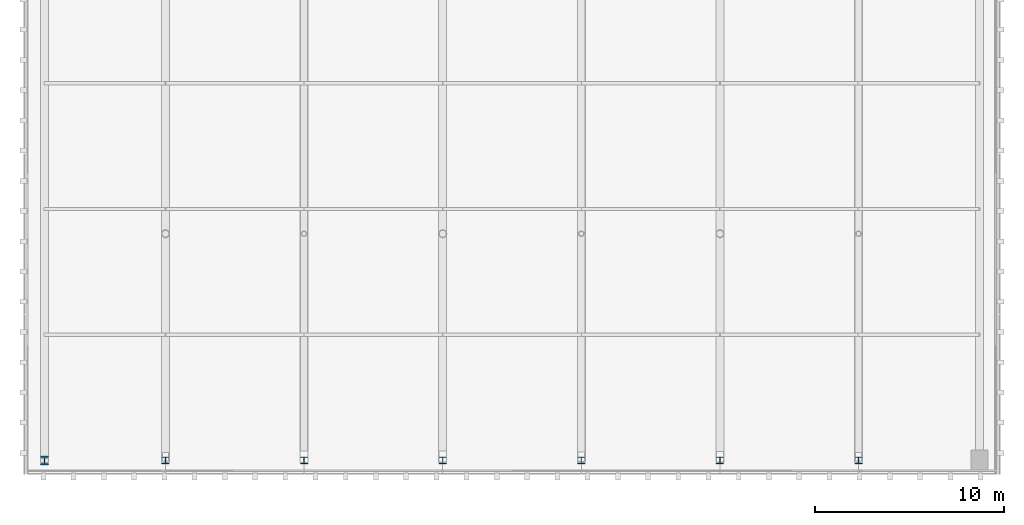
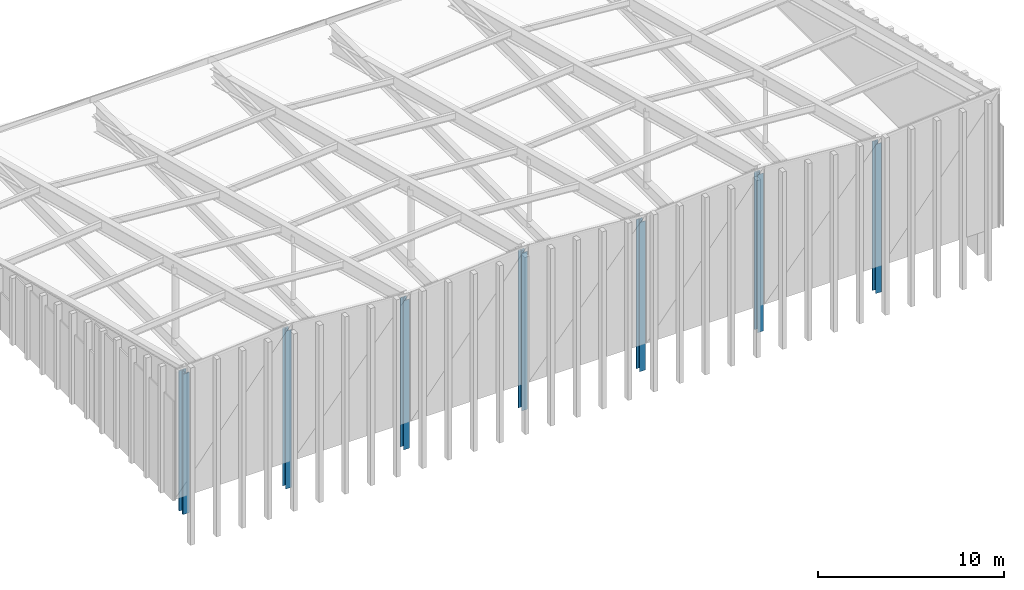
# One storey, part 1 of 8: 7 columns.
"""IFC4 building model written with IfcOpenShell, lengths in metres."""

from ifc_helpers import new_model, si_unit, direction, frame, origin, origin_2d, place, context, subcontext, project, spatial, i_section, extrude, material, material_profile, profile_set, type_object, element, save


model = new_model("IFC4")

# Units and contexts
model_context = context("Model", 3, precision=1e-05, world=origin(), true_north=direction((0.0, 1.0)))
body_context = subcontext(model_context, "Body", "Model", "MODEL_VIEW")
ifc_project = project(units=[si_unit("LENGTHUNIT", "METRE"), si_unit("AREAUNIT", "SQUARE_METRE"), si_unit("VOLUMEUNIT", "CUBIC_METRE"), si_unit("PLANEANGLEUNIT", "RADIAN"), si_unit("MASSUNIT", "GRAM", prefix="KILO")], contexts=[model_context])

# Site, building, storey
site_placement = place(None, origin())
site = spatial("IfcSite", under=ifc_project, at=site_placement, CompositionType="ELEMENT")
building_placement = place(site_placement, origin())
building = spatial("IfcBuilding", under=site, at=building_placement, Name="Trimount Lyric Opera House", CompositionType="ELEMENT")
storey_placement = place(building_placement, frame((0.0, 0.0, 34.199951171875)))
storey = spatial("IfcBuildingStorey", under=building, at=storey_placement, Name="RF", CompositionType="ELEMENT", Elevation=34.199951171875)

# Columns
ifc_material_1 = material(Name="Steel ASTM A992 Grade 50", Category="steel")
ifc_material_profile_1 = material_profile(ifc_material_1, i_section(OverallWidth=0.422119140625, OverallDepth=0.465087890625, WebThickness=0.044921875, FlangeThickness=0.072509765625, FilletRadius=0.02001953125, at=origin_2d()), Name="W14X398")
ifc_profile_set_1 = profile_set([ifc_material_profile_1], Name="Steel ASTM A992 Grade 50")
column_type_1 = type_object("IfcColumnType", Name="C-01", PredefinedType="COLUMN", material=ifc_profile_set_1)
column_1_placement = place(storey_placement, frame((64.260009765625, 84.0, -1.5), z_axis=(0.0, 0.0, 1.0), x_axis=(1.0, 0.0, 0.0)))
element("IfcColumn", 1, at=column_1_placement, inside=storey, type_object=column_type_1, Name="RF column 8/K", PredefinedType="COLUMN", context=body_context, shape_type="SweptSolid", body=[
    extrude(i_section(OverallWidth=0.422119140625, OverallDepth=0.465087890625, WebThickness=0.044921875, FlangeThickness=0.072509765625, FilletRadius=0.02001953125, at=origin_2d()), origin(), (0.0, 0.0, 1.0), 9.219970703125),
])
ifc_material_2 = material(Name="Steel ASTM A992 Grade 50", Category="steel")
ifc_material_profile_2 = material_profile(ifc_material_2, i_section(OverallWidth=0.367919921875, OverallDepth=0.35595703125, WebThickness=0.01123046875, FlangeThickness=0.01806640625, FilletRadius=0.014892578125, at=origin_2d()), Name="W14X90")
ifc_profile_set_2 = profile_set([ifc_material_profile_2], Name="Steel ASTM A992 Grade 50")
column_type_2 = type_object("IfcColumnType", Name="C-05", PredefinedType="COLUMN", material=ifc_profile_set_2)
column_2_placement = place(storey_placement, frame((70.6572265625, 84.0, -2.099853515625), z_axis=(0.0, 0.0, 1.0), x_axis=(1.0, 0.0, 0.0)))
element("IfcColumn", 2, at=column_2_placement, inside=storey, type_object=column_type_2, Name="RF fly-tower internal post 2S", PredefinedType="COLUMN", context=body_context, shape_type="SweptSolid", body=[
    extrude(i_section(OverallWidth=0.367919921875, OverallDepth=0.35595703125, WebThickness=0.01123046875, FlangeThickness=0.01806640625, FilletRadius=0.014892578125, at=origin_2d()), origin(), (0.0, 0.0, 1.0), 10.386474609375),
])
column_3_placement = place(storey_placement, frame((77.994384765625, 84.0, -2.099853515625), z_axis=(0.0, 0.0, 1.0), x_axis=(1.0, 0.0, 0.0)))
element("IfcColumn", 3, at=column_3_placement, inside=storey, type_object=column_type_2, Name="RF fly-tower internal post 3S", PredefinedType="COLUMN", context=body_context, shape_type="SweptSolid", body=[
    extrude(i_section(OverallWidth=0.367919921875, OverallDepth=0.35595703125, WebThickness=0.01123046875, FlangeThickness=0.01806640625, FilletRadius=0.014892578125, at=origin_2d()), origin(), (0.0, 0.0, 1.0), 9.81640625),
])
column_4_placement = place(storey_placement, frame((85.33154296875, 84.0, -2.099853515625), z_axis=(0.0, 0.0, 1.0), x_axis=(1.0, 0.0, 0.0)))
element("IfcColumn", 4, at=column_4_placement, inside=storey, type_object=column_type_2, Name="RF fly-tower internal post 4S", PredefinedType="COLUMN", context=body_context, shape_type="SweptSolid", body=[
    extrude(i_section(OverallWidth=0.367919921875, OverallDepth=0.35595703125, WebThickness=0.01123046875, FlangeThickness=0.01806640625, FilletRadius=0.014892578125, at=origin_2d()), origin(), (0.0, 0.0, 1.0), 10.386474609375),
])
column_5_placement = place(storey_placement, frame((92.66845703125, 84.0, -2.099853515625), z_axis=(0.0, 0.0, 1.0), x_axis=(1.0, 0.0, 0.0)))
element("IfcColumn", 5, at=column_5_placement, inside=storey, type_object=column_type_2, Name="RF fly-tower internal post 5S", PredefinedType="COLUMN", context=body_context, shape_type="SweptSolid", body=[
    extrude(i_section(OverallWidth=0.367919921875, OverallDepth=0.35595703125, WebThickness=0.01123046875, FlangeThickness=0.01806640625, FilletRadius=0.014892578125, at=origin_2d()), origin(), (0.0, 0.0, 1.0), 9.81640625),
])
column_6_placement = place(storey_placement, frame((100.005615234375, 84.0, -2.099853515625), z_axis=(0.0, 0.0, 1.0), x_axis=(1.0, 0.0, 0.0)))
element("IfcColumn", 6, at=column_6_placement, inside=storey, type_object=column_type_2, Name="RF fly-tower internal post 6S", PredefinedType="COLUMN", context=body_context, shape_type="SweptSolid", body=[
    extrude(i_section(OverallWidth=0.367919921875, OverallDepth=0.35595703125, WebThickness=0.01123046875, FlangeThickness=0.01806640625, FilletRadius=0.014892578125, at=origin_2d()), origin(), (0.0, 0.0, 1.0), 10.386474609375),
])
column_7_placement = place(storey_placement, frame((107.3427734375, 84.0, -2.099853515625), z_axis=(0.0, 0.0, 1.0), x_axis=(1.0, 0.0, 0.0)))
element("IfcColumn", 7, at=column_7_placement, inside=storey, type_object=column_type_2, Name="RF fly-tower internal post 7S", PredefinedType="COLUMN", context=body_context, shape_type="SweptSolid", body=[
    extrude(i_section(OverallWidth=0.367919921875, OverallDepth=0.35595703125, WebThickness=0.01123046875, FlangeThickness=0.01806640625, FilletRadius=0.014892578125, at=origin_2d()), origin(), (0.0, 0.0, 1.0), 9.81640625),
])

save(model, "model.ifc")
